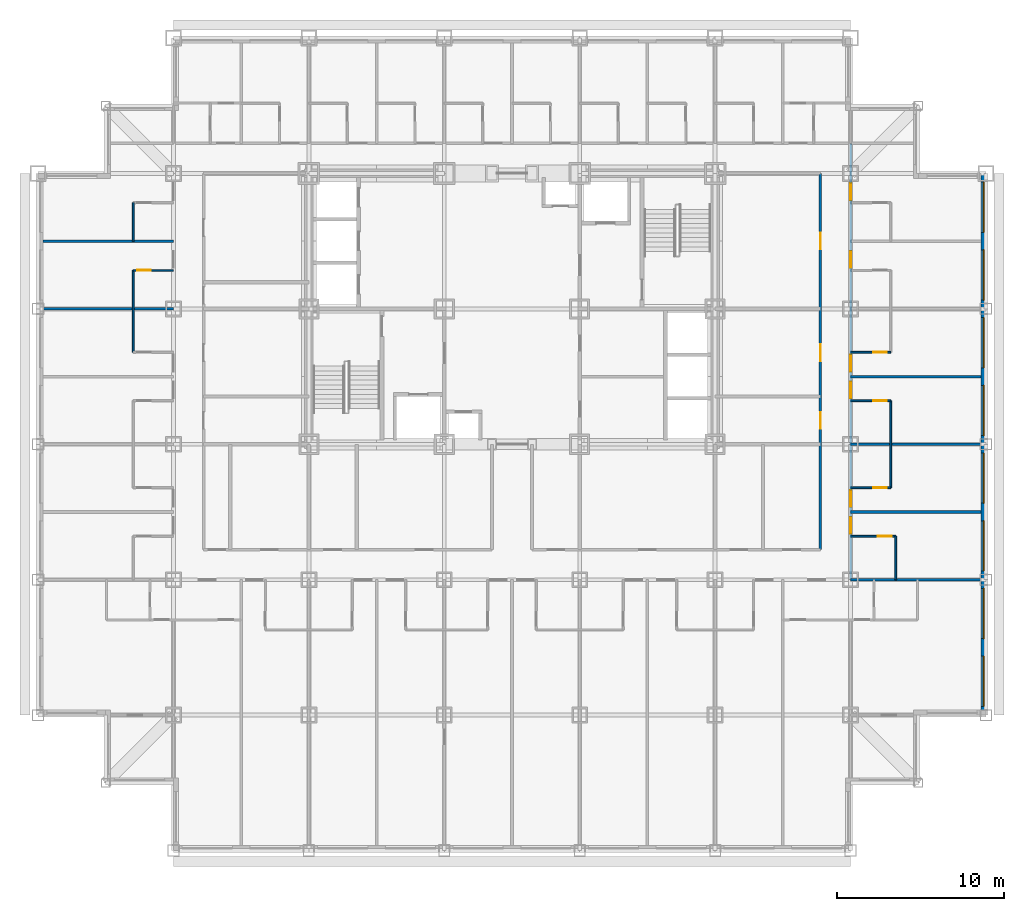
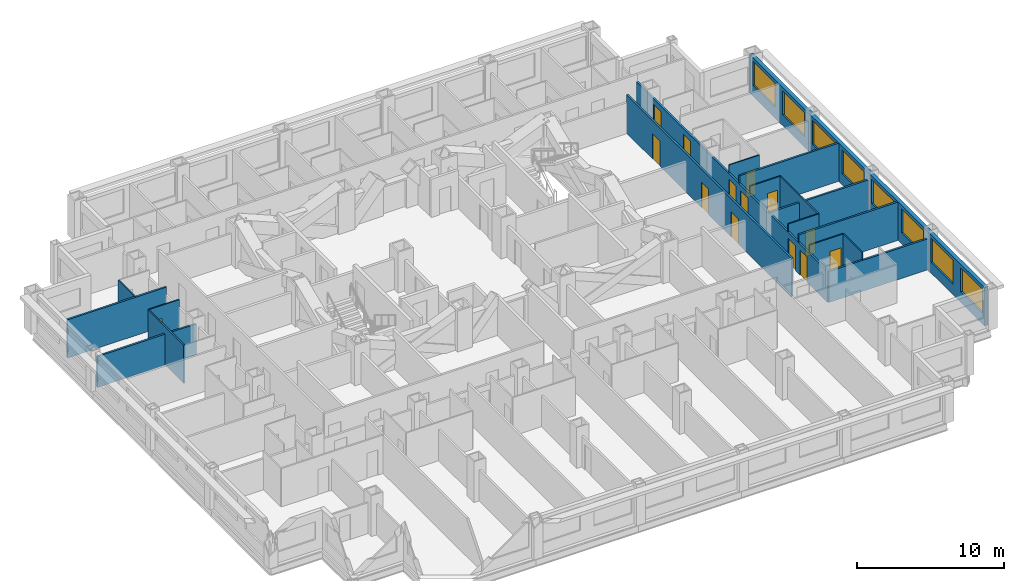
# One storey, part 7 of 12: 18 walls, 14 doors, 8 windows, 22 openings.
"""IFC4 building model written with IfcOpenShell, lengths in metres."""

from ifc_helpers import new_model, si_unit, direction, frame, frame_2d, origin, place, context, subcontext, project, spatial, rectangle, extrude, material, layer, layer_set, type_object, element, fill, save


model = new_model("IFC4")

# Units and contexts
model_context = context("Model", 3, precision=1e-05, world=origin(), true_north=direction((0.0, 1.0)))
body_context = subcontext(model_context, "Body", "Model", "MODEL_VIEW")
ifc_project = project(units=[si_unit("LENGTHUNIT", "METRE"), si_unit("AREAUNIT", "SQUARE_METRE"), si_unit("VOLUMEUNIT", "CUBIC_METRE"), si_unit("PLANEANGLEUNIT", "RADIAN"), si_unit("MASSUNIT", "GRAM", prefix="KILO")], contexts=[model_context])

# Site, building, storey
site_placement = place(None, origin())
site = spatial("IfcSite", under=ifc_project, at=site_placement, CompositionType="ELEMENT")
building_placement = place(site_placement, origin())
building = spatial("IfcBuilding", under=site, at=building_placement, Name="Kopane Lantern Tower", CompositionType="ELEMENT")
storey_placement = place(building_placement, frame((0.0, 0.0, 46.60009765625)))
storey = spatial("IfcBuildingStorey", under=building, at=storey_placement, Name="L10", CompositionType="ELEMENT", Elevation=46.60009765625)

# Wall
ifc_material_1 = material(Name="Moisture-resistant board on steel studs", Category="steel")
ifc_layer_1 = layer(ifc_material_1, 0.10009765625)
ifc_layer_set_1 = layer_set([ifc_layer_1], Name="BATHROOM WALL 100")
wall_type_1 = type_object("IfcWallType", Name="BATHROOM WALL 100", PredefinedType="PARTITIONING", material=ifc_layer_set_1)
wall_1_placement = place(storey_placement, frame((5.699951171875, 29.800048828125, 0.0), z_axis=(0.0, 0.0, 1.0), x_axis=(0.0, 1.0, 0.0)))
element("IfcWall", 1, at=wall_1_placement, inside=storey, type_object=wall_type_1, Name="Bathroom Wall 100 L10", PredefinedType="PARTITIONING", context=body_context, shape_type="SweptSolid", body=[
    extrude(rectangle(XDim=4.89990234375, YDim=0.10009765625, at=frame_2d((2.449951171875, 0.0))), origin(), (0.0, 0.0, 1.0), 3.18994140625),
])

# Wall, opening, door
wall_2_placement = place(storey_placement, frame((8.10009765625, 34.699951171875, 0.0), z_axis=(0.0, 0.0, 1.0), x_axis=(-1.0, 0.0, 0.0)))
wall_2 = element("IfcWall", 2, at=wall_2_placement, inside=storey, type_object=wall_type_1, Name="Bathroom Wall 100 L10", PredefinedType="PARTITIONING", context=body_context, shape_type="SweptSolid", body=[
    extrude(rectangle(XDim=2.400146484375, YDim=0.10009765625, at=frame_2d((1.2001953125, 0.0))), origin(), (0.0, 0.0, 1.0), 3.18994140625),
])
opening_1_placement = place(wall_2_placement, frame((1.35009765625, 0.0, 0.0)))
opening_1 = element("IfcOpeningElement", 3, at=opening_1_placement, cuts=wall_2, Name="Opening L10-057", PredefinedType="OPENING", context=body_context, shape_type="SweptSolid", body=[
    extrude(rectangle(XDim=0.800048828125, YDim=2.10009765625, at=frame_2d((0.39990234375, 1.050048828125))), frame((0.0, 0.06005859375, 0.0), z_axis=(0.0, -1.0, 0.0), x_axis=(1.0, 0.0, 0.0)), (0.0, 0.0, 1.0), 0.1201171875),
])
ifc_material_2 = material(Name="Timber door set", Category="wood")
door_type_1 = type_object("IfcDoorType", Name="DOOR D2 800x2100", OperationType="SINGLE_SWING_LEFT", PredefinedType="DOOR", material=ifc_material_2)
door_1_placement = place(opening_1_placement, origin())
door_1 = element("IfcDoor", 4, at=door_1_placement, inside=storey, type_object=door_type_1, Name="Door L10-057", OperationType="SINGLE_SWING_RIGHT", OverallHeight=2.10009765625, OverallWidth=0.800048828125, PredefinedType="DOOR", context=body_context, shape_type="SweptSolid", body=[
    extrude(rectangle(XDim=0.800048828125, YDim=2.10009765625, at=frame_2d((0.39990234375, 1.050048828125))), frame((0.0, 0.02490234375, 0.0), z_axis=(0.0, -1.0, 0.0), x_axis=(1.0, 0.0, 0.0)), (0.0, 0.0, 1.0), 0.050048828125),
])
fill(opening_1, door_1)

# Walls
wall_3_placement = place(storey_placement, frame((5.699951171875, 36.449951171875, 0.0), z_axis=(0.0, 0.0, 1.0), x_axis=(0.0, 1.0, 0.0)))
element("IfcWall", 5, at=wall_3_placement, inside=storey, type_object=wall_type_1, Name="Bathroom Wall 100 L10", PredefinedType="PARTITIONING", context=body_context, shape_type="SweptSolid", body=[
    extrude(rectangle(XDim=2.300048828125, YDim=0.10009765625, at=frame_2d((1.14990234375, 0.0))), origin(), (0.0, 0.0, 1.0), 3.18994140625),
])
wall_4_placement = place(storey_placement, frame((51.300048828125, 16.199951171875, 0.0), z_axis=(0.0, 0.0, 1.0), x_axis=(0.0, 1.0, 0.0)))
element("IfcWall", 6, at=wall_4_placement, inside=storey, type_object=wall_type_1, Name="Bathroom Wall 100 L10", PredefinedType="PARTITIONING", context=body_context, shape_type="SweptSolid", body=[
    extrude(rectangle(XDim=2.60009765625, YDim=0.10009765625, at=frame_2d((1.300048828125, 0.0))), origin(), (0.0, 0.0, 1.0), 3.18994140625),
])

# Wall, opening, door
wall_5_placement = place(storey_placement, frame((48.60009765625, 18.800048828125, 0.0), z_axis=(0.0, 0.0, 1.0), x_axis=(1.0, 0.0, 0.0)))
wall_5 = element("IfcWall", 7, at=wall_5_placement, inside=storey, type_object=wall_type_1, Name="Bathroom Wall 100 L10", PredefinedType="PARTITIONING", context=body_context, shape_type="SweptSolid", body=[
    extrude(rectangle(XDim=2.699951171875, YDim=0.10009765625, at=frame_2d((1.35009765625, 0.0))), origin(), (0.0, 0.0, 1.0), 3.18994140625),
])
opening_2_placement = place(wall_5_placement, frame((1.625, 0.0, 0.0)))
opening_2 = element("IfcOpeningElement", 8, at=opening_2_placement, cuts=wall_5, Name="Opening L10-061", PredefinedType="OPENING", context=body_context, shape_type="SweptSolid", body=[
    extrude(rectangle(XDim=0.85009765625, YDim=2.10009765625, at=frame_2d((0.425048828125, 1.050048828125))), frame((0.0, 0.06005859375, 0.0), z_axis=(0.0, -1.0, 0.0), x_axis=(1.0, 0.0, 0.0)), (0.0, 0.0, 1.0), 0.1201171875),
])
ifc_material_3 = material(Name="Timber door set", Category="wood")
door_type_2 = type_object("IfcDoorType", Name="DOOR D4 850x2100", OperationType="SINGLE_SWING_LEFT", PredefinedType="DOOR", material=ifc_material_3)
door_2_placement = place(opening_2_placement, origin())
door_2 = element("IfcDoor", 9, at=door_2_placement, inside=storey, type_object=door_type_2, Name="Door L10-061", OperationType="SINGLE_SWING_LEFT", OverallHeight=2.10009765625, OverallWidth=0.85009765625, PredefinedType="DOOR", context=body_context, shape_type="SweptSolid", body=[
    extrude(rectangle(XDim=0.85009765625, YDim=2.10009765625, at=frame_2d((0.425048828125, 1.050048828125))), frame((0.0, 0.02490234375, 0.0), z_axis=(0.0, -1.0, 0.0), x_axis=(1.0, 0.0, 0.0)), (0.0, 0.0, 1.0), 0.050048828125),
])
fill(opening_2, door_2)

# Wall
wall_6_placement = place(storey_placement, frame((51.0, 21.699951171875, 0.0), z_axis=(0.0, 0.0, 1.0), x_axis=(0.0, 1.0, 0.0)))
element("IfcWall", 10, at=wall_6_placement, inside=storey, type_object=wall_type_1, Name="Bathroom Wall 100 L10", PredefinedType="PARTITIONING", context=body_context, shape_type="SweptSolid", body=[
    extrude(rectangle(XDim=5.199951171875, YDim=0.10009765625, at=frame_2d((2.60009765625, 0.0))), origin(), (0.0, 0.0, 1.0), 3.18994140625),
])

# Wall, opening, door
wall_7_placement = place(storey_placement, frame((48.60009765625, 21.699951171875, 0.0), z_axis=(0.0, 0.0, 1.0), x_axis=(1.0, 0.0, 0.0)))
wall_7 = element("IfcWall", 11, at=wall_7_placement, inside=storey, type_object=wall_type_1, Name="Bathroom Wall 100 L10", PredefinedType="PARTITIONING", context=body_context, shape_type="SweptSolid", body=[
    extrude(rectangle(XDim=2.39990234375, YDim=0.10009765625, at=frame_2d((1.199951171875, 0.0))), origin(), (0.0, 0.0, 1.0), 3.18994140625),
])
opening_3_placement = place(wall_7_placement, frame((1.35009765625, 0.0, 0.0)))
opening_3 = element("IfcOpeningElement", 12, at=opening_3_placement, cuts=wall_7, Name="Opening L10-063", PredefinedType="OPENING", context=body_context, shape_type="SweptSolid", body=[
    extrude(rectangle(XDim=0.800048828125, YDim=2.10009765625, at=frame_2d((0.39990234375, 1.050048828125))), frame((0.0, 0.06005859375, 0.0), z_axis=(0.0, -1.0, 0.0), x_axis=(1.0, 0.0, 0.0)), (0.0, 0.0, 1.0), 0.1201171875),
])
door_3_placement = place(opening_3_placement, origin())
door_3 = element("IfcDoor", 13, at=door_3_placement, inside=storey, type_object=door_type_1, Name="Door L10-063", OperationType="SINGLE_SWING_RIGHT", OverallHeight=2.10009765625, OverallWidth=0.800048828125, PredefinedType="DOOR", context=body_context, shape_type="SweptSolid", body=[
    extrude(rectangle(XDim=0.800048828125, YDim=2.10009765625, at=frame_2d((0.39990234375, 1.050048828125))), frame((0.0, 0.02490234375, 0.0), z_axis=(0.0, -1.0, 0.0), x_axis=(1.0, 0.0, 0.0)), (0.0, 0.0, 1.0), 0.050048828125),
])
fill(opening_3, door_3)

wall_8_placement = place(storey_placement, frame((48.60009765625, 26.89990234375, 0.0), z_axis=(0.0, 0.0, 1.0), x_axis=(1.0, 0.0, 0.0)))
wall_8 = element("IfcWall", 14, at=wall_8_placement, inside=storey, type_object=wall_type_1, Name="Bathroom Wall 100 L10", PredefinedType="PARTITIONING", context=body_context, shape_type="SweptSolid", body=[
    extrude(rectangle(XDim=2.39990234375, YDim=0.10009765625, at=frame_2d((1.199951171875, 0.0))), origin(), (0.0, 0.0, 1.0), 3.18994140625),
])
opening_4_placement = place(wall_8_placement, frame((1.35009765625, 0.0, 0.0)))
opening_4 = element("IfcOpeningElement", 15, at=opening_4_placement, cuts=wall_8, Name="Opening L10-065", PredefinedType="OPENING", context=body_context, shape_type="SweptSolid", body=[
    extrude(rectangle(XDim=0.800048828125, YDim=2.10009765625, at=frame_2d((0.39990234375, 1.050048828125))), frame((0.0, 0.06005859375, 0.0), z_axis=(0.0, -1.0, 0.0), x_axis=(1.0, 0.0, 0.0)), (0.0, 0.0, 1.0), 0.1201171875),
])
door_4_placement = place(opening_4_placement, origin())
door_4 = element("IfcDoor", 16, at=door_4_placement, inside=storey, type_object=door_type_1, Name="Door L10-065", OperationType="SINGLE_SWING_LEFT", OverallHeight=2.10009765625, OverallWidth=0.800048828125, PredefinedType="DOOR", context=body_context, shape_type="SweptSolid", body=[
    extrude(rectangle(XDim=0.800048828125, YDim=2.10009765625, at=frame_2d((0.39990234375, 1.050048828125))), frame((0.0, 0.02490234375, 0.0), z_axis=(0.0, -1.0, 0.0), x_axis=(1.0, 0.0, 0.0)), (0.0, 0.0, 1.0), 0.050048828125),
])
fill(opening_4, door_4)

wall_9_placement = place(storey_placement, frame((48.60009765625, 29.800048828125, 0.0), z_axis=(0.0, 0.0, 1.0), x_axis=(1.0, 0.0, 0.0)))
wall_9 = element("IfcWall", 17, at=wall_9_placement, inside=storey, type_object=wall_type_1, Name="Bathroom Wall 100 L10", PredefinedType="PARTITIONING", context=body_context, shape_type="SweptSolid", body=[
    extrude(rectangle(XDim=2.39990234375, YDim=0.10009765625, at=frame_2d((1.199951171875, 0.0))), origin(), (0.0, 0.0, 1.0), 3.18994140625),
])
opening_5_placement = place(wall_9_placement, frame((1.35009765625, 0.0, 0.0)))
opening_5 = element("IfcOpeningElement", 18, at=opening_5_placement, cuts=wall_9, Name="Opening L10-067", PredefinedType="OPENING", context=body_context, shape_type="SweptSolid", body=[
    extrude(rectangle(XDim=0.800048828125, YDim=2.10009765625, at=frame_2d((0.39990234375, 1.050048828125))), frame((0.0, 0.06005859375, 0.0), z_axis=(0.0, -1.0, 0.0), x_axis=(1.0, 0.0, 0.0)), (0.0, 0.0, 1.0), 0.1201171875),
])
door_5_placement = place(opening_5_placement, origin())
door_5 = element("IfcDoor", 19, at=door_5_placement, inside=storey, type_object=door_type_1, Name="Door L10-067", OperationType="SINGLE_SWING_RIGHT", OverallHeight=2.10009765625, OverallWidth=0.800048828125, PredefinedType="DOOR", context=body_context, shape_type="SweptSolid", body=[
    extrude(rectangle(XDim=0.800048828125, YDim=2.10009765625, at=frame_2d((0.39990234375, 1.050048828125))), frame((0.0, 0.02490234375, 0.0), z_axis=(0.0, -1.0, 0.0), x_axis=(1.0, 0.0, 0.0)), (0.0, 0.0, 1.0), 0.050048828125),
])
fill(opening_5, door_5)

# Wall, openings, doors
ifc_material_4 = material(Name="Gypsum board on steel studs", Category="steel")
ifc_layer_2 = layer(ifc_material_4, 0.14990234375)
ifc_layer_set_2 = layer_set([ifc_layer_2], Name="CORRIDOR WALL 150 EI 60")
wall_type_2 = type_object("IfcWallType", Name="CORRIDOR WALL 150 EI 60", PredefinedType="PARTITIONING", material=ifc_layer_set_2)
wall_10_placement = place(storey_placement, frame((48.60009765625, 16.199951171875, 0.0), z_axis=(0.0, 0.0, 1.0), x_axis=(0.0, 1.0, 0.0)))
wall_10 = element("IfcWall", 20, at=wall_10_placement, inside=storey, type_object=wall_type_2, Name="Corridor Wall 150 Ei 60 L10", PredefinedType="PARTITIONING", context=body_context, shape_type="SweptSolid", body=[
    extrude(rectangle(XDim=26.10009765625, YDim=0.14990234375, at=frame_2d((13.050048828125, 0.0))), origin(), (0.0, 0.0, 1.0), 2.57763671875),
])
opening_6_placement = place(wall_10_placement, frame((2.75, 0.0, 0.0)))
opening_6 = element("IfcOpeningElement", 21, at=opening_6_placement, cuts=wall_10, Name="Opening L10-062", PredefinedType="OPENING", context=body_context, shape_type="SweptSolid", body=[
    extrude(rectangle(XDim=1.0, YDim=2.10009765625, at=frame_2d((0.5, 1.050048828125))), frame((0.0, 0.0849609375, 0.0), z_axis=(0.0, -1.0, 0.0), x_axis=(1.0, 0.0, 0.0)), (0.0, 0.0, 1.0), 0.169921875),
])
opening_7_placement = place(wall_10_placement, frame((4.35009765625, 0.0, 0.0)))
opening_7 = element("IfcOpeningElement", 22, at=opening_7_placement, cuts=wall_10, Name="Opening L10-064", PredefinedType="OPENING", context=body_context, shape_type="SweptSolid", body=[
    extrude(rectangle(XDim=1.0, YDim=2.10009765625, at=frame_2d((0.5, 1.050048828125))), frame((0.0, 0.0849609375, 0.0), z_axis=(0.0, -1.0, 0.0), x_axis=(1.0, 0.0, 0.0)), (0.0, 0.0, 1.0), 0.169921875),
])
opening_8_placement = place(wall_10_placement, frame((10.85009765625, 0.0, 0.0)))
opening_8 = element("IfcOpeningElement", 23, at=opening_8_placement, cuts=wall_10, Name="Opening L10-066", PredefinedType="OPENING", context=body_context, shape_type="SweptSolid", body=[
    extrude(rectangle(XDim=1.0, YDim=2.10009765625, at=frame_2d((0.5, 1.050048828125))), frame((0.0, 0.0849609375, 0.0), z_axis=(0.0, -1.0, 0.0), x_axis=(1.0, 0.0, 0.0)), (0.0, 0.0, 1.0), 0.169921875),
])
opening_9_placement = place(wall_10_placement, frame((12.449951171875, 0.0, 0.0)))
opening_9 = element("IfcOpeningElement", 24, at=opening_9_placement, cuts=wall_10, Name="Opening L10-068", PredefinedType="OPENING", context=body_context, shape_type="SweptSolid", body=[
    extrude(rectangle(XDim=1.0, YDim=2.10009765625, at=frame_2d((0.5, 1.050048828125))), frame((0.0, 0.0849609375, 0.0), z_axis=(0.0, -1.0, 0.0), x_axis=(1.0, 0.0, 0.0)), (0.0, 0.0, 1.0), 0.169921875),
])
opening_10_placement = place(wall_10_placement, frame((18.64990234375, 0.0, 0.0)))
opening_10 = element("IfcOpeningElement", 25, at=opening_10_placement, cuts=wall_10, Name="Opening L10-070", PredefinedType="OPENING", context=body_context, shape_type="SweptSolid", body=[
    extrude(rectangle(XDim=1.0, YDim=2.10009765625, at=frame_2d((0.5, 1.050048828125))), frame((0.0, 0.0849609375, 0.0), z_axis=(0.0, -1.0, 0.0), x_axis=(1.0, 0.0, 0.0)), (0.0, 0.0, 1.0), 0.169921875),
])
opening_11_placement = place(wall_10_placement, frame((22.699951171875, 0.0, 0.0)))
opening_11 = element("IfcOpeningElement", 26, at=opening_11_placement, cuts=wall_10, Name="Opening L10-072", PredefinedType="OPENING", context=body_context, shape_type="SweptSolid", body=[
    extrude(rectangle(XDim=1.0, YDim=2.10009765625, at=frame_2d((0.5, 1.050048828125))), frame((0.0, 0.0849609375, 0.0), z_axis=(0.0, -1.0, 0.0), x_axis=(1.0, 0.0, 0.0)), (0.0, 0.0, 1.0), 0.169921875),
])
ifc_material_5 = material(Name="Steel door set", Category="steel")
door_type_3 = type_object("IfcDoorType", Name="DOOR D1 1000x2100 FD30S", OperationType="SINGLE_SWING_LEFT", PredefinedType="DOOR", material=ifc_material_5)
door_6_placement = place(opening_6_placement, origin())
door_6 = element("IfcDoor", 27, at=door_6_placement, inside=storey, type_object=door_type_3, Name="Door L10-062", OperationType="SINGLE_SWING_RIGHT", OverallHeight=2.10009765625, OverallWidth=1.0, PredefinedType="DOOR", context=body_context, shape_type="SweptSolid", body=[
    extrude(rectangle(XDim=1.0, YDim=2.10009765625, at=frame_2d((0.5, 1.050048828125))), frame((0.0, 0.02490234375, 0.0), z_axis=(0.0, -1.0, 0.0), x_axis=(1.0, 0.0, 0.0)), (0.0, 0.0, 1.0), 0.050048828125),
])
fill(opening_6, door_6)
door_7_placement = place(opening_7_placement, origin())
door_7 = element("IfcDoor", 28, at=door_7_placement, inside=storey, type_object=door_type_3, Name="Door L10-064", OperationType="SINGLE_SWING_LEFT", OverallHeight=2.10009765625, OverallWidth=1.0, PredefinedType="DOOR", context=body_context, shape_type="SweptSolid", body=[
    extrude(rectangle(XDim=1.0, YDim=2.10009765625, at=frame_2d((0.5, 1.050048828125))), frame((0.0, 0.02490234375, 0.0), z_axis=(0.0, -1.0, 0.0), x_axis=(1.0, 0.0, 0.0)), (0.0, 0.0, 1.0), 0.050048828125),
])
fill(opening_7, door_7)
door_8_placement = place(opening_8_placement, origin())
door_8 = element("IfcDoor", 29, at=door_8_placement, inside=storey, type_object=door_type_3, Name="Door L10-066", OperationType="SINGLE_SWING_RIGHT", OverallHeight=2.10009765625, OverallWidth=1.0, PredefinedType="DOOR", context=body_context, shape_type="SweptSolid", body=[
    extrude(rectangle(XDim=1.0, YDim=2.10009765625, at=frame_2d((0.5, 1.050048828125))), frame((0.0, 0.02490234375, 0.0), z_axis=(0.0, -1.0, 0.0), x_axis=(1.0, 0.0, 0.0)), (0.0, 0.0, 1.0), 0.050048828125),
])
fill(opening_8, door_8)
door_9_placement = place(opening_9_placement, origin())
door_9 = element("IfcDoor", 30, at=door_9_placement, inside=storey, type_object=door_type_3, Name="Door L10-068", OperationType="SINGLE_SWING_LEFT", OverallHeight=2.10009765625, OverallWidth=1.0, PredefinedType="DOOR", context=body_context, shape_type="SweptSolid", body=[
    extrude(rectangle(XDim=1.0, YDim=2.10009765625, at=frame_2d((0.5, 1.050048828125))), frame((0.0, 0.02490234375, 0.0), z_axis=(0.0, -1.0, 0.0), x_axis=(1.0, 0.0, 0.0)), (0.0, 0.0, 1.0), 0.050048828125),
])
fill(opening_9, door_9)
door_10_placement = place(opening_10_placement, origin())
door_10 = element("IfcDoor", 31, at=door_10_placement, inside=storey, type_object=door_type_3, Name="Door L10-070", OperationType="SINGLE_SWING_RIGHT", OverallHeight=2.10009765625, OverallWidth=1.0, PredefinedType="DOOR", context=body_context, shape_type="SweptSolid", body=[
    extrude(rectangle(XDim=1.0, YDim=2.10009765625, at=frame_2d((0.5, 1.050048828125))), frame((0.0, 0.02490234375, 0.0), z_axis=(0.0, -1.0, 0.0), x_axis=(1.0, 0.0, 0.0)), (0.0, 0.0, 1.0), 0.050048828125),
])
fill(opening_10, door_10)
door_11_placement = place(opening_11_placement, origin())
door_11 = element("IfcDoor", 32, at=door_11_placement, inside=storey, type_object=door_type_3, Name="Door L10-072", OperationType="SINGLE_SWING_RIGHT", OverallHeight=2.10009765625, OverallWidth=1.0, PredefinedType="DOOR", context=body_context, shape_type="SweptSolid", body=[
    extrude(rectangle(XDim=1.0, YDim=2.10009765625, at=frame_2d((0.5, 1.050048828125))), frame((0.0, 0.02490234375, 0.0), z_axis=(0.0, -1.0, 0.0), x_axis=(1.0, 0.0, 0.0)), (0.0, 0.0, 1.0), 0.050048828125),
])
fill(opening_11, door_11)

wall_11_placement = place(storey_placement, frame((46.800048828125, 18.0, 0.0), z_axis=(0.0, 0.0, 1.0), x_axis=(0.0, 1.0, 0.0)))
wall_11 = element("IfcWall", 33, at=wall_11_placement, inside=storey, type_object=wall_type_2, Name="Corridor Wall 150 Ei 60 L10", PredefinedType="PARTITIONING", context=body_context, shape_type="SweptSolid", body=[
    extrude(rectangle(XDim=22.5, YDim=0.14990234375, at=frame_2d((11.25, 0.0))), origin(), (0.0, 0.0, 1.0), 3.18994140625),
])
opening_12_placement = place(wall_11_placement, frame((7.228515625, 0.0, 0.0)))
opening_12 = element("IfcOpeningElement", 34, at=opening_12_placement, cuts=wall_11, Name="Opening L10-005", PredefinedType="OPENING", context=body_context, shape_type="SweptSolid", body=[
    extrude(rectangle(XDim=1.0, YDim=2.10009765625, at=frame_2d((0.5, 1.050048828125))), frame((0.0, 0.0849609375, 0.0), z_axis=(0.0, -1.0, 0.0), x_axis=(1.0, 0.0, 0.0)), (0.0, 0.0, 1.0), 0.169921875),
])
opening_13_placement = place(wall_11_placement, frame((11.278564453125, 0.0, 0.0)))
opening_13 = element("IfcOpeningElement", 35, at=opening_13_placement, cuts=wall_11, Name="Opening L10-006", PredefinedType="OPENING", context=body_context, shape_type="SweptSolid", body=[
    extrude(rectangle(XDim=1.0, YDim=2.10009765625, at=frame_2d((0.5, 1.050048828125))), frame((0.0, 0.0849609375, 0.0), z_axis=(0.0, -1.0, 0.0), x_axis=(1.0, 0.0, 0.0)), (0.0, 0.0, 1.0), 0.169921875),
])
opening_14_placement = place(wall_11_placement, frame((17.949951171875, 0.0, 0.0)))
opening_14 = element("IfcOpeningElement", 36, at=opening_14_placement, cuts=wall_11, Name="Opening L10-007", PredefinedType="OPENING", context=body_context, shape_type="SweptSolid", body=[
    extrude(rectangle(XDim=1.0, YDim=2.10009765625, at=frame_2d((0.5, 1.050048828125))), frame((0.0, 0.0849609375, 0.0), z_axis=(0.0, -1.0, 0.0), x_axis=(1.0, 0.0, 0.0)), (0.0, 0.0, 1.0), 0.169921875),
])
ifc_material_6 = material(Name="Steel door set", Category="steel")
door_type_4 = type_object("IfcDoorType", Name="DOOR D5 1000x2100 FD60", OperationType="SINGLE_SWING_LEFT", PredefinedType="DOOR", material=ifc_material_6)
door_12_placement = place(opening_12_placement, origin())
door_12 = element("IfcDoor", 37, at=door_12_placement, inside=storey, type_object=door_type_4, Name="Door L10-005", OperationType="SINGLE_SWING_LEFT", OverallHeight=2.10009765625, OverallWidth=1.0, PredefinedType="DOOR", context=body_context, shape_type="SweptSolid", body=[
    extrude(rectangle(XDim=1.0, YDim=2.10009765625, at=frame_2d((0.5, 1.050048828125))), frame((0.0, 0.02490234375, 0.0), z_axis=(0.0, -1.0, 0.0), x_axis=(1.0, 0.0, 0.0)), (0.0, 0.0, 1.0), 0.050048828125),
])
fill(opening_12, door_12)
door_13_placement = place(opening_13_placement, origin())
door_13 = element("IfcDoor", 38, at=door_13_placement, inside=storey, type_object=door_type_4, Name="Door L10-006", OperationType="SINGLE_SWING_RIGHT", OverallHeight=2.10009765625, OverallWidth=1.0, PredefinedType="DOOR", context=body_context, shape_type="SweptSolid", body=[
    extrude(rectangle(XDim=1.0, YDim=2.10009765625, at=frame_2d((0.5, 1.050048828125))), frame((0.0, 0.02490234375, 0.0), z_axis=(0.0, -1.0, 0.0), x_axis=(1.0, 0.0, 0.0)), (0.0, 0.0, 1.0), 0.050048828125),
])
fill(opening_13, door_13)
door_14_placement = place(opening_14_placement, origin())
door_14 = element("IfcDoor", 39, at=door_14_placement, inside=storey, type_object=door_type_4, Name="Door L10-007", OperationType="SINGLE_SWING_LEFT", OverallHeight=2.10009765625, OverallWidth=1.0, PredefinedType="DOOR", context=body_context, shape_type="SweptSolid", body=[
    extrude(rectangle(XDim=1.0, YDim=2.10009765625, at=frame_2d((0.5, 1.050048828125))), frame((0.0, 0.02490234375, 0.0), z_axis=(0.0, -1.0, 0.0), x_axis=(1.0, 0.0, 0.0)), (0.0, 0.0, 1.0), 0.050048828125),
])
fill(opening_14, door_14)

# Walls
ifc_material_7 = material(Name="Gypsum board on steel studs", Category="steel")
ifc_layer_3 = layer(ifc_material_7, 0.14990234375)
ifc_layer_set_3 = layer_set([ifc_layer_3], Name="DEMISING WALL 150 EI 60")
wall_type_3 = type_object("IfcWallType", Name="DEMISING WALL 150 EI 60", PredefinedType="PARTITIONING", material=ifc_layer_set_3)
wall_12_placement = place(storey_placement, frame((8.10009765625, 32.39990234375, 0.0), z_axis=(0.0, 0.0, 1.0), x_axis=(-1.0, 0.0, 0.0)))
element("IfcWall", 40, at=wall_12_placement, inside=storey, type_object=wall_type_3, Name="Demising Wall 150 Ei 60 L10", PredefinedType="PARTITIONING", context=body_context, shape_type="SweptSolid", body=[
    extrude(rectangle(XDim=7.800048828125, YDim=0.14990234375, at=frame_2d((3.89990234375, 0.0))), origin(), (0.0, 0.0, 1.0), 2.57763671875),
])
wall_13_placement = place(storey_placement, frame((8.10009765625, 36.449951171875, 0.0), z_axis=(0.0, 0.0, 1.0), x_axis=(-1.0, 0.0, 0.0)))
element("IfcWall", 41, at=wall_13_placement, inside=storey, type_object=wall_type_3, Name="Demising Wall 150 Ei 60 L10", PredefinedType="PARTITIONING", context=body_context, shape_type="SweptSolid", body=[
    extrude(rectangle(XDim=7.800048828125, YDim=0.14990234375, at=frame_2d((3.89990234375, 0.0))), origin(), (0.0, 0.0, 1.0), 3.18994140625),
])
wall_14_placement = place(storey_placement, frame((48.60009765625, 20.25, 0.0), z_axis=(0.0, 0.0, 1.0), x_axis=(1.0, 0.0, 0.0)))
element("IfcWall", 42, at=wall_14_placement, inside=storey, type_object=wall_type_3, Name="Demising Wall 150 Ei 60 L10", PredefinedType="PARTITIONING", context=body_context, shape_type="SweptSolid", body=[
    extrude(rectangle(XDim=7.7998046875, YDim=0.14990234375, at=frame_2d((3.89990234375, 0.0))), origin(), (0.0, 0.0, 1.0), 3.18994140625),
])
wall_15_placement = place(storey_placement, frame((48.60009765625, 24.300048828125, 0.0), z_axis=(0.0, 0.0, 1.0), x_axis=(1.0, 0.0, 0.0)))
element("IfcWall", 43, at=wall_15_placement, inside=storey, type_object=wall_type_3, Name="Demising Wall 150 Ei 60 L10", PredefinedType="PARTITIONING", context=body_context, shape_type="SweptSolid", body=[
    extrude(rectangle(XDim=7.7998046875, YDim=0.14990234375, at=frame_2d((3.89990234375, 0.0))), origin(), (0.0, 0.0, 1.0), 2.57763671875),
])
wall_16_placement = place(storey_placement, frame((48.60009765625, 28.35009765625, 0.0), z_axis=(0.0, 0.0, 1.0), x_axis=(1.0, 0.0, 0.0)))
element("IfcWall", 44, at=wall_16_placement, inside=storey, type_object=wall_type_3, Name="Demising Wall 150 Ei 60 L10", PredefinedType="PARTITIONING", context=body_context, shape_type="SweptSolid", body=[
    extrude(rectangle(XDim=7.7998046875, YDim=0.14990234375, at=frame_2d((3.89990234375, 0.0))), origin(), (0.0, 0.0, 1.0), 3.18994140625),
])
wall_17_placement = place(storey_placement, frame((48.60009765625, 16.199951171875, 0.0), z_axis=(0.0, 0.0, 1.0), x_axis=(1.0, 0.0, 0.0)))
element("IfcWall", 45, at=wall_17_placement, inside=storey, type_object=wall_type_3, Name="Demising Wall 150 Ei 60 L10", PredefinedType="PARTITIONING", context=body_context, shape_type="SweptSolid", body=[
    extrude(rectangle(XDim=7.7998046875, YDim=0.14990234375, at=frame_2d((3.89990234375, 0.0))), origin(), (0.0, 0.0, 1.0), 2.57763671875),
])

# Wall, openings, windows
ifc_material_8 = material(Name="Terracotta rainscreen on light steel framing", Category="masonry")
ifc_layer_4 = layer(ifc_material_8, 0.300048828125)
ifc_layer_set_4 = layer_set([ifc_layer_4], Name="EXTERNAL WALL EW1 300 TERRACOTTA")
wall_type_4 = type_object("IfcWallType", Name="EXTERNAL WALL EW1 300 TERRACOTTA", PredefinedType="SOLIDWALL", material=ifc_layer_set_4)
wall_18_placement = place(storey_placement, frame((56.550048828125, 8.39990234375, 0.0), z_axis=(0.0, 0.0, 1.0), x_axis=(0.0, 1.0, 0.0)))
wall_18 = element("IfcWall", 46, at=wall_18_placement, inside=storey, type_object=wall_type_4, Name="External wall E L10", PredefinedType="SOLIDWALL", context=body_context, shape_type="SweptSolid", body=[
    extrude(rectangle(XDim=32.10009765625, YDim=0.300048828125, at=frame_2d((16.050048828125, 0.0))), origin(), (0.0, 0.0, 1.0), 3.18994140625),
])
opening_15_placement = place(wall_18_placement, frame((0.22509765625, 0.0, 0.89990234375)))
opening_15 = element("IfcOpeningElement", 47, at=opening_15_placement, cuts=wall_18, Name="Opening WR300200", PredefinedType="OPENING", context=body_context, shape_type="SweptSolid", body=[
    extrude(rectangle(XDim=3.0, YDim=2.0, at=frame_2d((1.5, 1.0))), frame((0.0, 0.159912109375, 0.0), z_axis=(0.0, -1.0, 0.0), x_axis=(1.0, 0.0, 0.0)), (0.0, 0.0, 1.0), 0.320068359375),
])
opening_16_placement = place(wall_18_placement, frame((4.27490234375, 0.0, 0.89990234375)))
opening_16 = element("IfcOpeningElement", 48, at=opening_16_placement, cuts=wall_18, Name="Opening WR300200", PredefinedType="OPENING", context=body_context, shape_type="SweptSolid", body=[
    extrude(rectangle(XDim=3.0, YDim=2.0, at=frame_2d((1.5, 1.0))), frame((0.0, 0.159912109375, 0.0), z_axis=(0.0, -1.0, 0.0), x_axis=(1.0, 0.0, 0.0)), (0.0, 0.0, 1.0), 0.320068359375),
])
opening_17_placement = place(wall_18_placement, frame((8.324951171875, 0.0, 0.89990234375)))
opening_17 = element("IfcOpeningElement", 49, at=opening_17_placement, cuts=wall_18, Name="Opening WR300200", PredefinedType="OPENING", context=body_context, shape_type="SweptSolid", body=[
    extrude(rectangle(XDim=3.0, YDim=2.0, at=frame_2d((1.5, 1.0))), frame((0.0, 0.159912109375, 0.0), z_axis=(0.0, -1.0, 0.0), x_axis=(1.0, 0.0, 0.0)), (0.0, 0.0, 1.0), 0.320068359375),
])
opening_18_placement = place(wall_18_placement, frame((12.375, 0.0, 0.89990234375)))
opening_18 = element("IfcOpeningElement", 50, at=opening_18_placement, cuts=wall_18, Name="Opening WR300200", PredefinedType="OPENING", context=body_context, shape_type="SweptSolid", body=[
    extrude(rectangle(XDim=3.0, YDim=2.0, at=frame_2d((1.5, 1.0))), frame((0.0, 0.159912109375, 0.0), z_axis=(0.0, -1.0, 0.0), x_axis=(1.0, 0.0, 0.0)), (0.0, 0.0, 1.0), 0.320068359375),
])
opening_19_placement = place(wall_18_placement, frame((16.425048828125, 0.0, 0.89990234375)))
opening_19 = element("IfcOpeningElement", 51, at=opening_19_placement, cuts=wall_18, Name="Opening WR300200", PredefinedType="OPENING", context=body_context, shape_type="SweptSolid", body=[
    extrude(rectangle(XDim=3.0, YDim=2.0, at=frame_2d((1.5, 1.0))), frame((0.0, 0.159912109375, 0.0), z_axis=(0.0, -1.0, 0.0), x_axis=(1.0, 0.0, 0.0)), (0.0, 0.0, 1.0), 0.320068359375),
])
opening_20_placement = place(wall_18_placement, frame((20.47509765625, 0.0, 0.89990234375)))
opening_20 = element("IfcOpeningElement", 52, at=opening_20_placement, cuts=wall_18, Name="Opening WR300200", PredefinedType="OPENING", context=body_context, shape_type="SweptSolid", body=[
    extrude(rectangle(XDim=3.0, YDim=2.0, at=frame_2d((1.5, 1.0))), frame((0.0, 0.159912109375, 0.0), z_axis=(0.0, -1.0, 0.0), x_axis=(1.0, 0.0, 0.0)), (0.0, 0.0, 1.0), 0.320068359375),
])
opening_21_placement = place(wall_18_placement, frame((24.52490234375, 0.0, 0.89990234375)))
opening_21 = element("IfcOpeningElement", 53, at=opening_21_placement, cuts=wall_18, Name="Opening WR300200", PredefinedType="OPENING", context=body_context, shape_type="SweptSolid", body=[
    extrude(rectangle(XDim=3.0, YDim=2.0, at=frame_2d((1.5, 1.0))), frame((0.0, 0.159912109375, 0.0), z_axis=(0.0, -1.0, 0.0), x_axis=(1.0, 0.0, 0.0)), (0.0, 0.0, 1.0), 0.320068359375),
])
opening_22_placement = place(wall_18_placement, frame((28.574951171875, 0.0, 0.89990234375)))
opening_22 = element("IfcOpeningElement", 54, at=opening_22_placement, cuts=wall_18, Name="Opening WR300200", PredefinedType="OPENING", context=body_context, shape_type="SweptSolid", body=[
    extrude(rectangle(XDim=3.0, YDim=2.0, at=frame_2d((1.5, 1.0))), frame((0.0, 0.159912109375, 0.0), z_axis=(0.0, -1.0, 0.0), x_axis=(1.0, 0.0, 0.0)), (0.0, 0.0, 1.0), 0.320068359375),
])
ifc_material_9 = material(Name="Aluminium and clear glass", Category="aluminium")
window_type = type_object("IfcWindowType", Name="RIBBON WINDOW WR300200 3000x2000", PartitioningType="SINGLE_PANEL", PredefinedType="WINDOW", material=ifc_material_9)
window_1_placement = place(opening_15_placement, origin())
window_1 = element("IfcWindow", 55, at=window_1_placement, inside=storey, type_object=window_type, Name="Window E L10", OverallHeight=2.0, OverallWidth=3.0, PartitioningType="SINGLE_PANEL", PredefinedType="WINDOW", context=body_context, shape_type="SweptSolid", body=[
    extrude(rectangle(XDim=3.0, YDim=2.0, at=frame_2d((1.5, 1.0))), frame((0.0, 0.030029296875, 0.0), z_axis=(0.0, -1.0, 0.0), x_axis=(1.0, 0.0, 0.0)), (0.0, 0.0, 1.0), 0.06005859375),
])
fill(opening_15, window_1)
window_2_placement = place(opening_16_placement, origin())
window_2 = element("IfcWindow", 56, at=window_2_placement, inside=storey, type_object=window_type, Name="Window E L10", OverallHeight=2.0, OverallWidth=3.0, PartitioningType="SINGLE_PANEL", PredefinedType="WINDOW", context=body_context, shape_type="SweptSolid", body=[
    extrude(rectangle(XDim=3.0, YDim=2.0, at=frame_2d((1.5, 1.0))), frame((0.0, 0.030029296875, 0.0), z_axis=(0.0, -1.0, 0.0), x_axis=(1.0, 0.0, 0.0)), (0.0, 0.0, 1.0), 0.06005859375),
])
fill(opening_16, window_2)
window_3_placement = place(opening_17_placement, origin())
window_3 = element("IfcWindow", 57, at=window_3_placement, inside=storey, type_object=window_type, Name="Window E L10", OverallHeight=2.0, OverallWidth=3.0, PartitioningType="SINGLE_PANEL", PredefinedType="WINDOW", context=body_context, shape_type="SweptSolid", body=[
    extrude(rectangle(XDim=3.0, YDim=2.0, at=frame_2d((1.5, 1.0))), frame((0.0, 0.030029296875, 0.0), z_axis=(0.0, -1.0, 0.0), x_axis=(1.0, 0.0, 0.0)), (0.0, 0.0, 1.0), 0.06005859375),
])
fill(opening_17, window_3)
window_4_placement = place(opening_18_placement, origin())
window_4 = element("IfcWindow", 58, at=window_4_placement, inside=storey, type_object=window_type, Name="Window E L10", OverallHeight=2.0, OverallWidth=3.0, PartitioningType="SINGLE_PANEL", PredefinedType="WINDOW", context=body_context, shape_type="SweptSolid", body=[
    extrude(rectangle(XDim=3.0, YDim=2.0, at=frame_2d((1.5, 1.0))), frame((0.0, 0.030029296875, 0.0), z_axis=(0.0, -1.0, 0.0), x_axis=(1.0, 0.0, 0.0)), (0.0, 0.0, 1.0), 0.06005859375),
])
fill(opening_18, window_4)
window_5_placement = place(opening_19_placement, origin())
window_5 = element("IfcWindow", 59, at=window_5_placement, inside=storey, type_object=window_type, Name="Window E L10", OverallHeight=2.0, OverallWidth=3.0, PartitioningType="SINGLE_PANEL", PredefinedType="WINDOW", context=body_context, shape_type="SweptSolid", body=[
    extrude(rectangle(XDim=3.0, YDim=2.0, at=frame_2d((1.5, 1.0))), frame((0.0, 0.030029296875, 0.0), z_axis=(0.0, -1.0, 0.0), x_axis=(1.0, 0.0, 0.0)), (0.0, 0.0, 1.0), 0.06005859375),
])
fill(opening_19, window_5)
window_6_placement = place(opening_20_placement, origin())
window_6 = element("IfcWindow", 60, at=window_6_placement, inside=storey, type_object=window_type, Name="Window E L10", OverallHeight=2.0, OverallWidth=3.0, PartitioningType="SINGLE_PANEL", PredefinedType="WINDOW", context=body_context, shape_type="SweptSolid", body=[
    extrude(rectangle(XDim=3.0, YDim=2.0, at=frame_2d((1.5, 1.0))), frame((0.0, 0.030029296875, 0.0), z_axis=(0.0, -1.0, 0.0), x_axis=(1.0, 0.0, 0.0)), (0.0, 0.0, 1.0), 0.06005859375),
])
fill(opening_20, window_6)
window_7_placement = place(opening_21_placement, origin())
window_7 = element("IfcWindow", 61, at=window_7_placement, inside=storey, type_object=window_type, Name="Window E L10", OverallHeight=2.0, OverallWidth=3.0, PartitioningType="SINGLE_PANEL", PredefinedType="WINDOW", context=body_context, shape_type="SweptSolid", body=[
    extrude(rectangle(XDim=3.0, YDim=2.0, at=frame_2d((1.5, 1.0))), frame((0.0, 0.030029296875, 0.0), z_axis=(0.0, -1.0, 0.0), x_axis=(1.0, 0.0, 0.0)), (0.0, 0.0, 1.0), 0.06005859375),
])
fill(opening_21, window_7)
window_8_placement = place(opening_22_placement, origin())
window_8 = element("IfcWindow", 62, at=window_8_placement, inside=storey, type_object=window_type, Name="Window E L10", OverallHeight=2.0, OverallWidth=3.0, PartitioningType="SINGLE_PANEL", PredefinedType="WINDOW", context=body_context, shape_type="SweptSolid", body=[
    extrude(rectangle(XDim=3.0, YDim=2.0, at=frame_2d((1.5, 1.0))), frame((0.0, 0.030029296875, 0.0), z_axis=(0.0, -1.0, 0.0), x_axis=(1.0, 0.0, 0.0)), (0.0, 0.0, 1.0), 0.06005859375),
])
fill(opening_22, window_8)

save(model, "model.ifc")
